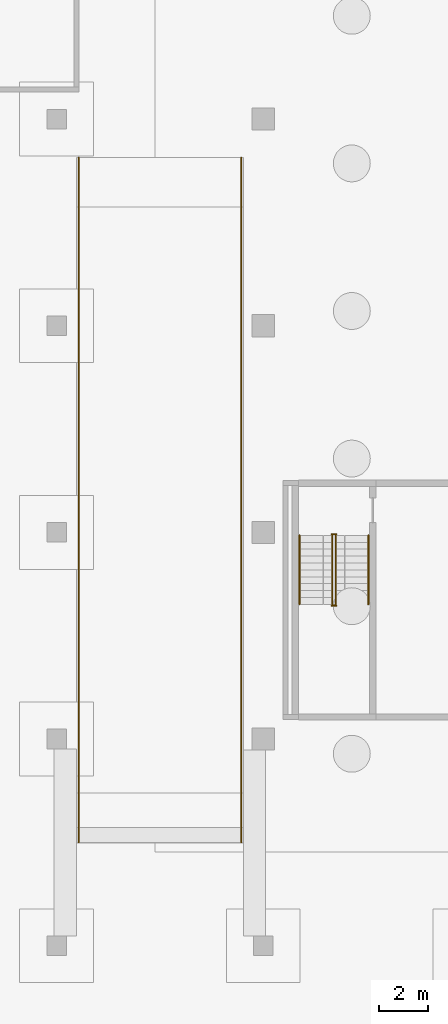
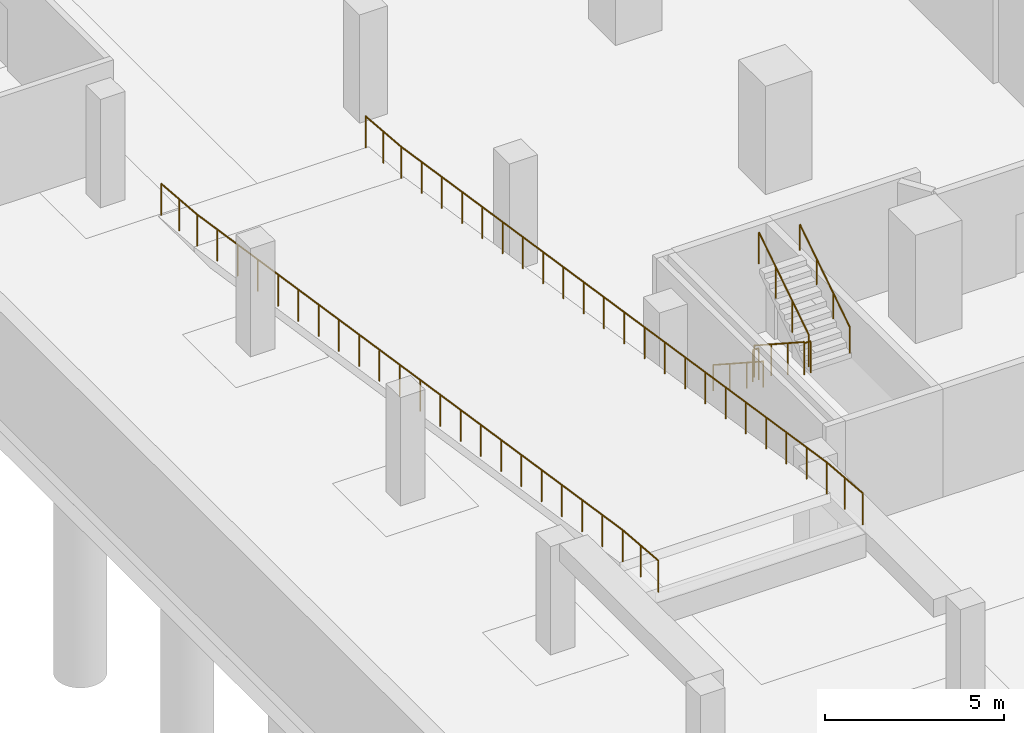
# One storey, part 15 of 20: 8 railings.
"""IFC4 building model written with IfcOpenShell, lengths in metres."""

from ifc_helpers import new_model, si_unit, direction, frame, origin, origin_2d, place, context, subcontext, project, spatial, circle, extrude, material, type_object, element, save


model = new_model("IFC4")

# Units and contexts
model_context = context("Model", 3, precision=1e-05, world=origin(), true_north=direction((0.0, 1.0)))
body_context = subcontext(model_context, "Body", "Model", "MODEL_VIEW")
ifc_project = project(units=[si_unit("LENGTHUNIT", "METRE"), si_unit("AREAUNIT", "SQUARE_METRE"), si_unit("VOLUMEUNIT", "CUBIC_METRE"), si_unit("PLANEANGLEUNIT", "RADIAN"), si_unit("MASSUNIT", "GRAM", prefix="KILO")], contexts=[model_context])

# Site, building, storey
site_placement = place(None, origin())
site = spatial("IfcSite", under=ifc_project, at=site_placement, CompositionType="ELEMENT")
building_placement = place(site_placement, origin())
building = spatial("IfcBuilding", under=site, at=building_placement, Name="Cantera Rosa Tower", CompositionType="ELEMENT")
storey_placement = place(building_placement, frame((0.0, 0.0, -17.0)))
storey = spatial("IfcBuildingStorey", under=building, at=storey_placement, Name="B4", CompositionType="ELEMENT", Elevation=-17.0)

# Railings
ifc_material_1 = material(Name="Steel S355J2 (EN 10025-2)", Category="steel")
railing_type_1 = type_object("IfcRailingType", Name="Ramp guard 1100", PredefinedType="GUARDRAIL", material=ifc_material_1)
railing_1_placement = place(storey_placement, frame((-41.10009765625, -5.7666015625, 0.0)))
element("IfcRailing", 1, at=railing_1_placement, inside=storey, type_object=railing_type_1, Name="Ramp guard RP4a", PredefinedType="GUARDRAIL", context=body_context, shape_type="SweptSolid", body=[
    extrude(circle(Radius=0.02392578125, at=origin_2d()), frame((0.0, 0.0, 1.076171875), z_axis=(0.0, -0.996542401618, 0.083085749549), x_axis=(1.0, 0.0, 0.0)), (0.0, 0.0, 1.0), 2.0068359375),
    extrude(circle(Radius=0.02392578125, at=origin_2d()), frame((0.0, -2.0, 1.24267578125), z_axis=(0.0, -0.988372868082, 0.152049576252), x_axis=(1.0, 0.0, 0.0)), (0.0, 0.0, 1.0), 24.11376953125),
    extrude(circle(Radius=0.02392578125, at=origin_2d()), frame((0.0, -25.83349609375, 4.9091796875), z_axis=(0.0, -0.996542401618, 0.083085749549), x_axis=(1.0, 0.0, 0.0)), (0.0, 0.0, 1.0), 2.0068359375),
    extrude(circle(Radius=0.02099609375, at=origin_2d()), origin(), (0.0, 0.0, 1.0), 1.052001953125),
    extrude(circle(Radius=0.02099609375, at=origin_2d()), frame((0.0, -1.0, 0.08349609375)), (0.0, 0.0, 1.0), 1.052001953125),
    extrude(circle(Radius=0.02099609375, at=origin_2d()), frame((0.0, -2.0, 0.166748046875)), (0.0, 0.0, 1.0), 1.052001953125),
    extrude(circle(Radius=0.02099609375, at=origin_2d()), frame((0.0, -3.135009765625, 0.34130859375)), (0.0, 0.0, 1.0), 1.052001953125),
    extrude(circle(Radius=0.02099609375, at=origin_2d()), frame((0.0, -4.269775390625, 0.515869140625)), (0.0, 0.0, 1.0), 1.052001953125),
    extrude(circle(Radius=0.02099609375, at=origin_2d()), frame((0.0, -5.40478515625, 0.6904296875)), (0.0, 0.0, 1.0), 1.052001953125),
    extrude(circle(Radius=0.02099609375, at=origin_2d()), frame((0.0, -6.539794921875, 0.865234375)), (0.0, 0.0, 1.0), 1.052001953125),
    extrude(circle(Radius=0.02099609375, at=origin_2d()), frame((0.0, -7.674560546875, 1.039794921875)), (0.0, 0.0, 1.0), 1.052001953125),
    extrude(circle(Radius=0.02099609375, at=origin_2d()), frame((0.0, -8.8095703125, 1.21435546875)), (0.0, 0.0, 1.0), 1.052001953125),
    extrude(circle(Radius=0.02099609375, at=origin_2d()), frame((0.0, -9.944580078125, 1.388916015625)), (0.0, 0.0, 1.0), 1.052001953125),
    extrude(circle(Radius=0.02099609375, at=origin_2d()), frame((0.0, -11.079345703125, 1.5634765625)), (0.0, 0.0, 1.0), 1.052001953125),
    extrude(circle(Radius=0.02099609375, at=origin_2d()), frame((0.0, -12.21435546875, 1.738037109375)), (0.0, 0.0, 1.0), 1.052001953125),
    extrude(circle(Radius=0.02099609375, at=origin_2d()), frame((0.0, -13.349365234375, 1.91259765625)), (0.0, 0.0, 1.0), 1.052001953125),
    extrude(circle(Radius=0.02099609375, at=origin_2d()), frame((0.0, -14.484130859375, 2.08740234375)), (0.0, 0.0, 1.0), 1.052001953125),
    extrude(circle(Radius=0.02099609375, at=origin_2d()), frame((0.0, -15.619140625, 2.261962890625)), (0.0, 0.0, 1.0), 1.052001953125),
    extrude(circle(Radius=0.02099609375, at=origin_2d()), frame((0.0, -16.754150390625, 2.4365234375)), (0.0, 0.0, 1.0), 1.052001953125),
    extrude(circle(Radius=0.02099609375, at=origin_2d()), frame((0.0, -17.888916015625, 2.611083984375)), (0.0, 0.0, 1.0), 1.052001953125),
    extrude(circle(Radius=0.02099609375, at=origin_2d()), frame((0.0, -19.02392578125, 2.78564453125)), (0.0, 0.0, 1.0), 1.052001953125),
    extrude(circle(Radius=0.02099609375, at=origin_2d()), frame((0.0, -20.158935546875, 2.960205078125)), (0.0, 0.0, 1.0), 1.052001953125),
    extrude(circle(Radius=0.02099609375, at=origin_2d()), frame((0.0, -21.293701171875, 3.134765625)), (0.0, 0.0, 1.0), 1.052001953125),
    extrude(circle(Radius=0.02099609375, at=origin_2d()), frame((0.0, -22.4287109375, 3.3095703125)), (0.0, 0.0, 1.0), 1.052001953125),
    extrude(circle(Radius=0.02099609375, at=origin_2d()), frame((0.0, -23.563720703125, 3.484130859375)), (0.0, 0.0, 1.0), 1.052001953125),
    extrude(circle(Radius=0.02099609375, at=origin_2d()), frame((0.0, -24.698486328125, 3.65869140625)), (0.0, 0.0, 1.0), 1.052001953125),
    extrude(circle(Radius=0.02099609375, at=origin_2d()), frame((0.0, -25.83349609375, 3.833251953125)), (0.0, 0.0, 1.0), 1.052001953125),
    extrude(circle(Radius=0.02099609375, at=origin_2d()), frame((0.0, -26.83349609375, 3.91650390625)), (0.0, 0.0, 1.0), 1.052001953125),
    extrude(circle(Radius=0.02099609375, at=origin_2d()), frame((0.0, -27.83349609375, 4.0)), (0.0, 0.0, 1.0), 1.052001953125),
])
railing_2_placement = place(storey_placement, frame((-34.5, -5.7666015625, 0.0)))
element("IfcRailing", 2, at=railing_2_placement, inside=storey, type_object=railing_type_1, Name="Ramp guard RP4b", PredefinedType="GUARDRAIL", context=body_context, shape_type="SweptSolid", body=[
    extrude(circle(Radius=0.02392578125, at=origin_2d()), frame((0.0, 0.0, 1.076171875), z_axis=(0.0, -0.996542401618, 0.083085749549), x_axis=(1.0, 0.0, 0.0)), (0.0, 0.0, 1.0), 2.0068359375),
    extrude(circle(Radius=0.02392578125, at=origin_2d()), frame((0.0, -2.0, 1.24267578125), z_axis=(0.0, -0.988372868082, 0.152049576252), x_axis=(1.0, 0.0, 0.0)), (0.0, 0.0, 1.0), 24.11376953125),
    extrude(circle(Radius=0.02392578125, at=origin_2d()), frame((0.0, -25.83349609375, 4.9091796875), z_axis=(0.0, -0.996542401618, 0.083085749549), x_axis=(1.0, 0.0, 0.0)), (0.0, 0.0, 1.0), 2.0068359375),
    extrude(circle(Radius=0.02099609375, at=origin_2d()), origin(), (0.0, 0.0, 1.0), 1.052001953125),
    extrude(circle(Radius=0.02099609375, at=origin_2d()), frame((0.0, -1.0, 0.08349609375)), (0.0, 0.0, 1.0), 1.052001953125),
    extrude(circle(Radius=0.02099609375, at=origin_2d()), frame((0.0, -2.0, 0.166748046875)), (0.0, 0.0, 1.0), 1.052001953125),
    extrude(circle(Radius=0.02099609375, at=origin_2d()), frame((0.0, -3.135009765625, 0.34130859375)), (0.0, 0.0, 1.0), 1.052001953125),
    extrude(circle(Radius=0.02099609375, at=origin_2d()), frame((0.0, -4.269775390625, 0.515869140625)), (0.0, 0.0, 1.0), 1.052001953125),
    extrude(circle(Radius=0.02099609375, at=origin_2d()), frame((0.0, -5.40478515625, 0.6904296875)), (0.0, 0.0, 1.0), 1.052001953125),
    extrude(circle(Radius=0.02099609375, at=origin_2d()), frame((0.0, -6.539794921875, 0.865234375)), (0.0, 0.0, 1.0), 1.052001953125),
    extrude(circle(Radius=0.02099609375, at=origin_2d()), frame((0.0, -7.674560546875, 1.039794921875)), (0.0, 0.0, 1.0), 1.052001953125),
    extrude(circle(Radius=0.02099609375, at=origin_2d()), frame((0.0, -8.8095703125, 1.21435546875)), (0.0, 0.0, 1.0), 1.052001953125),
    extrude(circle(Radius=0.02099609375, at=origin_2d()), frame((0.0, -9.944580078125, 1.388916015625)), (0.0, 0.0, 1.0), 1.052001953125),
    extrude(circle(Radius=0.02099609375, at=origin_2d()), frame((0.0, -11.079345703125, 1.5634765625)), (0.0, 0.0, 1.0), 1.052001953125),
    extrude(circle(Radius=0.02099609375, at=origin_2d()), frame((0.0, -12.21435546875, 1.738037109375)), (0.0, 0.0, 1.0), 1.052001953125),
    extrude(circle(Radius=0.02099609375, at=origin_2d()), frame((0.0, -13.349365234375, 1.91259765625)), (0.0, 0.0, 1.0), 1.052001953125),
    extrude(circle(Radius=0.02099609375, at=origin_2d()), frame((0.0, -14.484130859375, 2.08740234375)), (0.0, 0.0, 1.0), 1.052001953125),
    extrude(circle(Radius=0.02099609375, at=origin_2d()), frame((0.0, -15.619140625, 2.261962890625)), (0.0, 0.0, 1.0), 1.052001953125),
    extrude(circle(Radius=0.02099609375, at=origin_2d()), frame((0.0, -16.754150390625, 2.4365234375)), (0.0, 0.0, 1.0), 1.052001953125),
    extrude(circle(Radius=0.02099609375, at=origin_2d()), frame((0.0, -17.888916015625, 2.611083984375)), (0.0, 0.0, 1.0), 1.052001953125),
    extrude(circle(Radius=0.02099609375, at=origin_2d()), frame((0.0, -19.02392578125, 2.78564453125)), (0.0, 0.0, 1.0), 1.052001953125),
    extrude(circle(Radius=0.02099609375, at=origin_2d()), frame((0.0, -20.158935546875, 2.960205078125)), (0.0, 0.0, 1.0), 1.052001953125),
    extrude(circle(Radius=0.02099609375, at=origin_2d()), frame((0.0, -21.293701171875, 3.134765625)), (0.0, 0.0, 1.0), 1.052001953125),
    extrude(circle(Radius=0.02099609375, at=origin_2d()), frame((0.0, -22.4287109375, 3.3095703125)), (0.0, 0.0, 1.0), 1.052001953125),
    extrude(circle(Radius=0.02099609375, at=origin_2d()), frame((0.0, -23.563720703125, 3.484130859375)), (0.0, 0.0, 1.0), 1.052001953125),
    extrude(circle(Radius=0.02099609375, at=origin_2d()), frame((0.0, -24.698486328125, 3.65869140625)), (0.0, 0.0, 1.0), 1.052001953125),
    extrude(circle(Radius=0.02099609375, at=origin_2d()), frame((0.0, -25.83349609375, 3.833251953125)), (0.0, 0.0, 1.0), 1.052001953125),
    extrude(circle(Radius=0.02099609375, at=origin_2d()), frame((0.0, -26.83349609375, 3.91650390625)), (0.0, 0.0, 1.0), 1.052001953125),
    extrude(circle(Radius=0.02099609375, at=origin_2d()), frame((0.0, -27.83349609375, 4.0)), (0.0, 0.0, 1.0), 1.052001953125),
])
ifc_material_2 = material(Name="Steel S355J2 (EN 10025-2)", Category="steel")
railing_type_2 = type_object("IfcRailingType", Name="STAIR GUARD 1100", PredefinedType="GUARDRAIL", material=ifc_material_2)
railing_3_placement = place(storey_placement, frame((-30.799072265625, -21.125, 0.181884765625)))
element("IfcRailing", 3, at=railing_3_placement, inside=storey, type_object=railing_type_2, Name="B4 ST-SW stair guard 1", PredefinedType="GUARDRAIL", context=body_context, shape_type="SweptSolid", body=[
    extrude(circle(Radius=0.02392578125, at=origin_2d()), frame((0.0, 0.0, 1.076171875), z_axis=(0.0, -0.838705829183, 0.544584733623), x_axis=(1.0, 0.0, 0.0)), (0.0, 0.0, 1.0), 3.338623046875),
    extrude(circle(Radius=0.02099609375, at=origin_2d()), origin(), (0.0, 0.0, 1.0), 1.052001953125),
    extrude(circle(Radius=0.02099609375, at=origin_2d()), frame((0.0, -0.933349609375, 0.60595703125)), (0.0, 0.0, 1.0), 1.052001953125),
    extrude(circle(Radius=0.02099609375, at=origin_2d()), frame((0.0, -1.86669921875, 1.212158203125)), (0.0, 0.0, 1.0), 1.052001953125),
    extrude(circle(Radius=0.02099609375, at=origin_2d()), frame((0.0, -2.800048828125, 1.818115234375)), (0.0, 0.0, 1.0), 1.052001953125),
])
railing_4_placement = place(storey_placement, frame((-30.824951171875, -23.97509765625, 2.0)))
element("IfcRailing", 4, at=railing_4_placement, inside=storey, type_object=railing_type_2, Name="B4 ST-SW stair guard 2", PredefinedType="GUARDRAIL", context=body_context, shape_type="SweptSolid", body=[
    extrude(circle(Radius=0.02392578125, at=origin_2d()), frame((0.0, 0.0, 1.076171875), z_axis=(1.0, 0.0, 0.0), x_axis=(0.0, 1.0, 0.0)), (0.0, 0.0, 1.0), 0.199951171875),
    extrude(circle(Radius=0.02099609375, at=origin_2d()), origin(), (0.0, 0.0, 1.0), 1.052001953125),
    extrude(circle(Radius=0.02099609375, at=origin_2d()), frame((0.199951171875, 0.0, 0.0)), (0.0, 0.0, 1.0), 1.052001953125),
])
railing_5_placement = place(storey_placement, frame((-30.65087890625, -23.925048828125, 2.181884765625)))
element("IfcRailing", 5, at=railing_5_placement, inside=storey, type_object=railing_type_2, Name="B4 ST-SW stair guard 3", PredefinedType="GUARDRAIL", context=body_context, shape_type="SweptSolid", body=[
    extrude(circle(Radius=0.02392578125, at=origin_2d()), frame((0.0, 0.0, 1.076171875), z_axis=(0.0, 0.838705829183, 0.544584733623), x_axis=(-1.0, 0.0, 0.0)), (0.0, 0.0, 1.0), 3.338623046875),
    extrude(circle(Radius=0.02099609375, at=origin_2d()), origin(), (0.0, 0.0, 1.0), 1.052001953125),
    extrude(circle(Radius=0.02099609375, at=origin_2d()), frame((0.0, 0.933349609375, 0.60595703125)), (0.0, 0.0, 1.0), 1.052001953125),
    extrude(circle(Radius=0.02099609375, at=origin_2d()), frame((0.0, 1.86669921875, 1.212158203125)), (0.0, 0.0, 1.0), 1.052001953125),
    extrude(circle(Radius=0.02099609375, at=origin_2d()), frame((0.0, 2.800048828125, 1.818115234375)), (0.0, 0.0, 1.0), 1.052001953125),
])
railing_6_placement = place(storey_placement, frame((-30.824951171875, -21.074951171875, 0.0)))
element("IfcRailing", 6, at=railing_6_placement, inside=storey, type_object=railing_type_2, Name="B4 ST-SW stair guard 4", PredefinedType="GUARDRAIL", context=body_context, shape_type="SweptSolid", body=[
    extrude(circle(Radius=0.02392578125, at=origin_2d()), frame((0.0, 0.0, 1.076171875), z_axis=(1.0, 0.0, 0.0), x_axis=(0.0, 1.0, 0.0)), (0.0, 0.0, 1.0), 0.199951171875),
    extrude(circle(Radius=0.02099609375, at=origin_2d()), origin(), (0.0, 0.0, 1.0), 1.052001953125),
    extrude(circle(Radius=0.02099609375, at=origin_2d()), frame((0.199951171875, 0.0, 0.0)), (0.0, 0.0, 1.0), 1.052001953125),
])
ifc_material_3 = material(Name="Steel S355J2 (EN 10025-2)", Category="steel")
railing_type_3 = type_object("IfcRailingType", Name="STAIR HANDRAIL 900", PredefinedType="HANDRAIL", material=ifc_material_3)
railing_7_placement = place(storey_placement, frame((-32.125, -21.125, 0.181884765625)))
element("IfcRailing", 7, at=railing_7_placement, inside=storey, type_object=railing_type_3, Name="B4 ST-SW stair handrail 1", PredefinedType="HANDRAIL", context=body_context, shape_type="SweptSolid", body=[
    extrude(circle(Radius=0.02392578125, at=origin_2d()), frame((0.0, 0.0, 0.8759765625), z_axis=(0.0, -0.838705829183, 0.544584733623), x_axis=(1.0, 0.0, 0.0)), (0.0, 0.0, 1.0), 3.338623046875),
    extrude(circle(Radius=0.02099609375, at=origin_2d()), origin(), (0.0, 0.0, 1.0), 0.851806640625),
    extrude(circle(Radius=0.02099609375, at=origin_2d()), frame((0.0, -0.933349609375, 0.60595703125)), (0.0, 0.0, 1.0), 0.851806640625),
    extrude(circle(Radius=0.02099609375, at=origin_2d()), frame((0.0, -1.86669921875, 1.212158203125)), (0.0, 0.0, 1.0), 0.851806640625),
    extrude(circle(Radius=0.02099609375, at=origin_2d()), frame((0.0, -2.800048828125, 1.818115234375)), (0.0, 0.0, 1.0), 0.851806640625),
])
railing_8_placement = place(storey_placement, frame((-29.324951171875, -23.925048828125, 2.181884765625)))
element("IfcRailing", 8, at=railing_8_placement, inside=storey, type_object=railing_type_3, Name="B4 ST-SW stair handrail 2", PredefinedType="HANDRAIL", context=body_context, shape_type="SweptSolid", body=[
    extrude(circle(Radius=0.02392578125, at=origin_2d()), frame((0.0, 0.0, 0.8759765625), z_axis=(0.0, 0.838705829183, 0.544584733623), x_axis=(-1.0, 0.0, 0.0)), (0.0, 0.0, 1.0), 3.338623046875),
    extrude(circle(Radius=0.02099609375, at=origin_2d()), origin(), (0.0, 0.0, 1.0), 0.851806640625),
    extrude(circle(Radius=0.02099609375, at=origin_2d()), frame((0.0, 0.933349609375, 0.60595703125)), (0.0, 0.0, 1.0), 0.851806640625),
    extrude(circle(Radius=0.02099609375, at=origin_2d()), frame((0.0, 1.86669921875, 1.212158203125)), (0.0, 0.0, 1.0), 0.851806640625),
    extrude(circle(Radius=0.02099609375, at=origin_2d()), frame((0.0, 2.800048828125, 1.818115234375)), (0.0, 0.0, 1.0), 0.851806640625),
])

save(model, "model.ifc")
